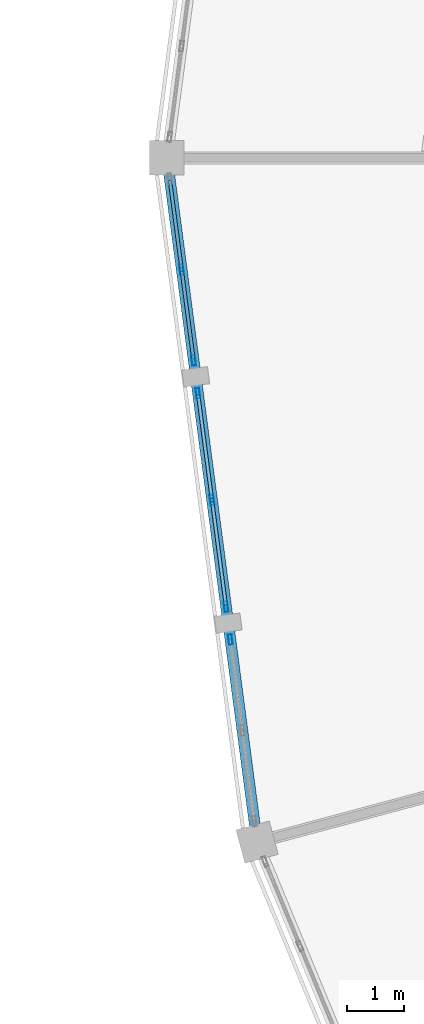
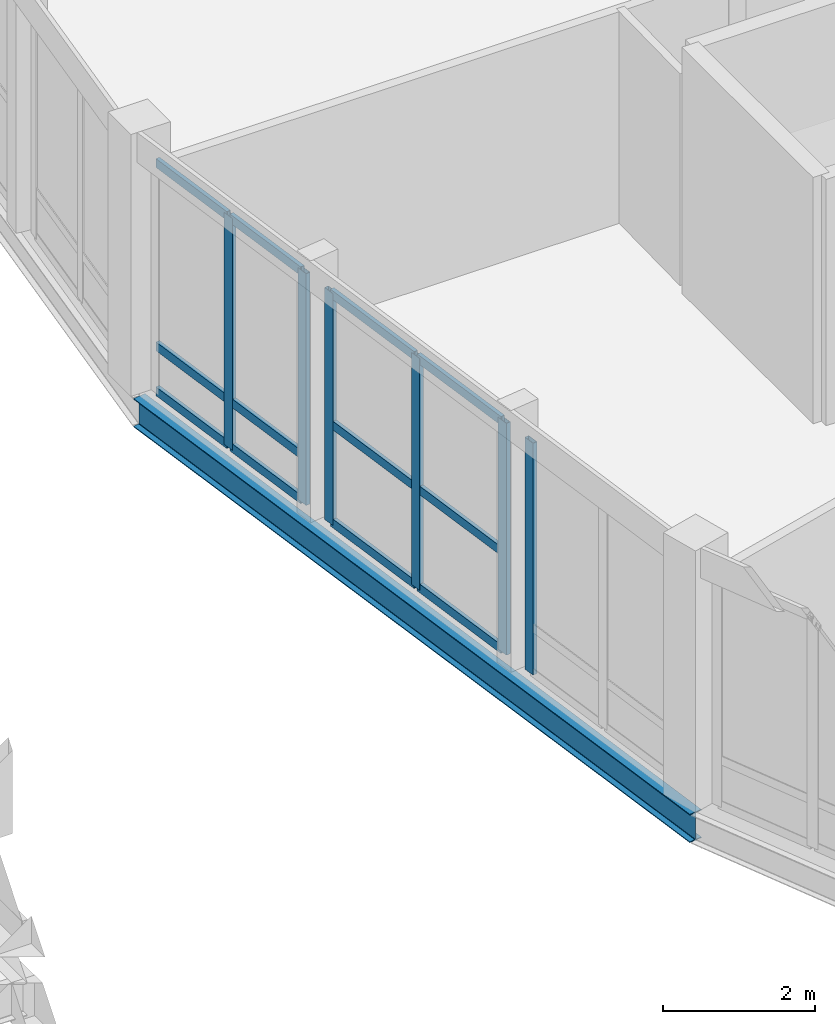
# One storey, part 59 of 185: 18 members, 1 beam, 3 elements without a shape of their own.
"""IFC4 building model written with IfcOpenShell, lengths in metres."""

import ifcopenshell
import ifcopenshell.guid

model = None  # the IFC model being written
_history = None  # IfcOwnerHistory: only IFC2X3 demands one
_inside = {}  # id of a spatial element -> (the spatial element, [elements in it])
_under = {}  # id of a project, library or spatial element -> (it, [spatial elements below it])
_declared = {}  # id of a project -> (the project, [libraries it declares])
_typed = {}  # id of a type object -> (the type object, [elements of that type])
_made_of = {}  # id of a material, layer set ... -> (it, [elements and type objects made of it])


def new_model(schema):
    """Start an empty IFC model of exactly this schema.

    Asked for "IFC4X3", IfcOpenShell would pick the latest addendum, in which some entities
    have other attributes; the version numbers below select the first issue.
    IFC2X3 requires an IfcOwnerHistory on every rooted entity: one is made here for all.
    """
    global model, _history
    if schema == "IFC4X3":
        model = ifcopenshell.file(schema_version=(4, 3, 0, 0))
    else:
        model = ifcopenshell.file(schema=schema)
    _inside.clear()
    _under.clear()
    _declared.clear()
    _typed.clear()
    _made_of.clear()
    _history = None
    if model.schema == "IFC2X3":
        org = make("IfcOrganization", Name="unknown")
        user = make(
            "IfcPersonAndOrganization",
            ThePerson=make("IfcPerson", FamilyName="unknown"),
            TheOrganization=org,
        )
        app = make(
            "IfcApplication",
            ApplicationDeveloper=org,
            Version="unknown",
            ApplicationFullName="unknown",
            ApplicationIdentifier="unknown",
        )
        _history = make(
            "IfcOwnerHistory",
            OwningUser=user,
            OwningApplication=app,
            ChangeAction="ADDED",
            CreationDate=0,
        )
    return model


def make(cls, **values):
    """One entity of the class cls with the attributes given. An attribute that is None is left unset."""
    return model.create_entity(
        cls, **{name: value for name, value in values.items() if value is not None}
    )


def rooted(cls, **values):
    """An entity with a GlobalId (a new one), such as an element, a storey or a relation."""
    return make(cls, GlobalId=ifcopenshell.guid.new(), OwnerHistory=_history, **values)


def si_unit(unit_type, name, prefix=None):
    """IfcSIUnit, for example si_unit("LENGTHUNIT", "METRE", prefix="MILLI")."""
    return make("IfcSIUnit", UnitType=unit_type, Prefix=prefix, Name=name)


def assignment(units):
    """IfcUnitAssignment: the units of a project."""
    return None if units is None else make("IfcUnitAssignment", Units=units)


def point(xyz):
    """IfcCartesianPoint."""
    return None if xyz is None else make("IfcCartesianPoint", Coordinates=xyz)


def direction(xyz):
    """IfcDirection."""
    return None if xyz is None else make("IfcDirection", DirectionRatios=xyz)


def frame(location, z_axis=None, x_axis=None):
    """IfcAxis2Placement3D, a coordinate frame: its origin and axes. An axis left out is left unset."""
    return make(
        "IfcAxis2Placement3D",
        Location=point(location),
        Axis=direction(z_axis),
        RefDirection=direction(x_axis),
    )


def frame_2d(location, x_axis=None):
    """IfcAxis2Placement2D, a coordinate frame in the plane: its origin and x axis."""
    return make(
        "IfcAxis2Placement2D", Location=point(location), RefDirection=direction(x_axis)
    )


def origin():
    """The frame at (0, 0, 0) with its axes left unset."""
    return frame((0.0, 0.0, 0.0))


def origin_2d():
    """The frame at (0, 0) in the plane with its x axis left unset."""
    return frame_2d((0.0, 0.0))


def place(relative_to, where):
    """IfcLocalPlacement: puts the frame where relative to a parent placement (None: the world)."""
    return make(
        "IfcLocalPlacement", PlacementRelTo=relative_to, RelativePlacement=where
    )


def context(
    kind, dimensions, precision=None, world=None, true_north=None, identifier=None
):
    """IfcGeometricRepresentationContext, for example the 3D "Model" context."""
    return make(
        "IfcGeometricRepresentationContext",
        ContextIdentifier=identifier,
        ContextType=kind,
        CoordinateSpaceDimension=dimensions,
        Precision=precision,
        WorldCoordinateSystem=world,
        TrueNorth=true_north,
    )


def subcontext(parent, identifier, kind, view, scale=None):
    """IfcGeometricRepresentationSubContext, for example "Body" below "Model"."""
    return make(
        "IfcGeometricRepresentationSubContext",
        ContextIdentifier=identifier,
        ContextType=kind,
        ParentContext=parent,
        TargetScale=scale,
        TargetView=view,
    )


def project(units=None, contexts=None):
    """IfcProject with its units and contexts."""
    return rooted(
        "IfcProject",
        Name="project",
        RepresentationContexts=contexts,
        UnitsInContext=assignment(units),
    )


def spatial(cls, under=None, at=None, **own):
    """A site, building, storey or space (cls), placed at a placement, below another one or the project."""
    s = rooted(cls, ObjectPlacement=at, **own)
    if under is not None:
        _under.setdefault(under.id(), (under, []))[1].append(s)
    return s


def profile(cls, at=None, kind="AREA", **sizes):
    """A parametric profile (cls). Its sizes go by their IFC names, for example OverallWidth=200.0."""
    return make(cls, ProfileType=kind, Position=at, **sizes)


def hollow_rectangle(**sizes):
    """IfcRectangleHollowProfileDef."""
    return profile("IfcRectangleHollowProfileDef", **sizes)


def i_section(**sizes):
    """IfcIShapeProfileDef."""
    return profile("IfcIShapeProfileDef", **sizes)


def extrude(swept, where, along, depth):
    """IfcExtrudedAreaSolid: the profile swept, set in the frame where, extruded along a direction by depth."""
    return make(
        "IfcExtrudedAreaSolid",
        SweptArea=swept,
        Position=where,
        ExtrudedDirection=direction(along),
        Depth=depth,
    )


def shape(context_of_items, identifier, shape_type, items):
    """IfcShapeRepresentation: the items that make up one representation, for example the "Body"."""
    return make(
        "IfcShapeRepresentation",
        ContextOfItems=context_of_items,
        RepresentationIdentifier=identifier,
        RepresentationType=shape_type,
        Items=items,
    )


def material(Name=None, Category=None):
    """IfcMaterial."""
    return make("IfcMaterial", Name=Name, Category=Category)


def material_profile(
    of_material, cross_section, Name=None, Category=None, Priority=None
):
    """IfcMaterialProfile: a cross section and its material."""
    return make(
        "IfcMaterialProfile",
        Name=Name,
        Material=of_material,
        Profile=cross_section,
        Priority=Priority,
        Category=Category,
    )


def profile_set(profiles, Name=None, composite=None):
    """IfcMaterialProfileSet."""
    return make(
        "IfcMaterialProfileSet",
        Name=Name,
        MaterialProfiles=profiles,
        CompositeProfile=composite,
    )


def made_of(thing, what):
    """Note that an element or type object is made of a material, layer set ...; save() writes the relation."""
    if what is not None:
        _made_of.setdefault(what.id(), (what, []))[1].append(thing)
    return thing


def type_object(cls, material=None, **own):
    """A type object (cls), such as IfcWallType, which elements share."""
    return made_of(rooted(cls, **own), material)


def element(
    cls,
    number,
    at=None,
    inside=None,
    cuts=None,
    type_object=None,
    material=None,
    context=None,
    identifier="Body",
    shape_type=None,
    held_by="IfcProductDefinitionShape",
    body=None,
    shapes=None,
    **own,
):
    """One element of the class cls, such as IfcWall. Its Tag is "e" and its number.

    at: its placement. inside: the storey or other place that contains it. cuts: it is an
    opening in that element (IfcRelVoidsElement). A single representation is given by context,
    identifier, shape_type and body (its items); several are given by shapes. held_by: the class
    of the entity that holds the representations. save() writes the other relations.
    """
    e = rooted(cls, Tag="e%d" % number, ObjectPlacement=at, **own)
    if body is not None:
        shapes = [shape(context, identifier, shape_type, body)]
    if shapes is not None:
        e.Representation = make(held_by, Representations=shapes)
    if inside is not None:
        _inside.setdefault(inside.id(), (inside, []))[1].append(e)
    if cuts is not None:
        rooted(
            "IfcRelVoidsElement", RelatingBuildingElement=cuts, RelatedOpeningElement=e
        )
    if type_object is not None:
        _typed.setdefault(type_object.id(), (type_object, []))[1].append(e)
    return made_of(e, material)


def aggregate(whole, parts):
    """IfcRelAggregates: a whole, such as a stair, and the parts it consists of."""
    return rooted("IfcRelAggregates", RelatingObject=whole, RelatedObjects=parts)


def save(model, path):
    """Write the relations noted so far, then the file.

    IfcRelAggregates (storeys below a building ...), IfcRelContainedInSpatialStructure (elements
    in a storey), IfcRelDefinesByType, IfcRelAssociatesMaterial and IfcRelDeclares: one each for
    every whole, place, type object, material and project.
    """
    for whole, parts in _under.values():
        aggregate(whole, parts)
    for where, things in _inside.values():
        rooted(
            "IfcRelContainedInSpatialStructure",
            RelatedElements=things,
            RelatingStructure=where,
        )
    for kind, things in _typed.values():
        rooted("IfcRelDefinesByType", RelatedObjects=things, RelatingType=kind)
    for what, things in _made_of.values():
        rooted("IfcRelAssociatesMaterial", RelatedObjects=things, RelatingMaterial=what)
    for by, libraries in _declared.values():
        rooted("IfcRelDeclares", RelatingContext=by, RelatedDefinitions=libraries)
    model.write(path)


model = new_model("IFC4")

# Units and contexts
model_context = context("Model", 3, precision=1e-05, world=origin(), true_north=direction((0.0, 1.0)))
body_context = subcontext(model_context, "Body", "Model", "MODEL_VIEW")
ifc_project = project(units=[si_unit("LENGTHUNIT", "METRE"), si_unit("AREAUNIT", "SQUARE_METRE"), si_unit("VOLUMEUNIT", "CUBIC_METRE"), si_unit("PLANEANGLEUNIT", "RADIAN"), si_unit("MASSUNIT", "GRAM", prefix="KILO")], contexts=[model_context])

# Site, building, storey
site_placement = place(None, origin())
site = spatial("IfcSite", under=ifc_project, at=site_placement, CompositionType="ELEMENT")
building_placement = place(site_placement, origin())
building = spatial("IfcBuilding", under=site, at=building_placement, Name="Vondelvale Polytechnic", CompositionType="ELEMENT")
storey_placement = place(building_placement, frame((0.0, 0.0, 9.60009765625)))
storey = spatial("IfcBuildingStorey", under=building, at=storey_placement, Name="L02", CompositionType="ELEMENT", Elevation=9.60009765625)

# Beam
ifc_material_1 = material(Name="Steel 300PLUS (fy = 300 MPa)", Category="steel")
ifc_material_profile_1 = material_profile(ifc_material_1, i_section(OverallWidth=0.18994140625, OverallDepth=0.45703125, WebThickness=0.009033203125, FlangeThickness=0.014404296875, FilletRadius=0.011474609375, at=origin_2d()), Name="460UB74.6")
ifc_profile_set_1 = profile_set([ifc_material_profile_1], Name="Steel 300PLUS (fy = 300 MPa)")
beam_type = type_object("IfcBeamType", Name="BM-UB460", PredefinedType="BEAM", material=ifc_profile_set_1)
beam_placement = place(storey_placement, frame((56.0, 72.0, -0.508544921875), z_axis=(0.130522880875, -0.991445297315, 0.0), x_axis=(0.991445297315, 0.130522880875, 0.0)))
element("IfcBeam", 1, at=beam_placement, inside=storey, type_object=beam_type, Name="L02 RB B-13", PredefinedType="BEAM", context=body_context, shape_type="SweptSolid", body=[
    extrude(i_section(OverallWidth=0.18994140625, OverallDepth=0.45703125, WebThickness=0.009033203125, FlangeThickness=0.014404296875, FilletRadius=0.011474609375, at=origin_2d()), origin(), (0.0, 0.0, 1.0), 12.008544921875),
])

# Curtain wall, members
ifc_material_2 = material(Name="Glulam GL18 structural Tasmanian oak (fb = 42 MPa)", Category="wood")
curtain_wall_type = type_object("IfcCurtainWallType", Name="CW-RING-OUTER", PredefinedType="NOTDEFINED", material=ifc_material_2)
curtain_wall_1_placement = place(storey_placement, origin())
curtain_wall_1 = element("IfcCurtainWall", 2, at=curtain_wall_1_placement, inside=storey, type_object=curtain_wall_type, Name="L02 architectural curtain wall CW-04-264", PredefinedType="NOTDEFINED")
ifc_material_3 = material(Name="Anodised extruded aluminium 6063-T6", Category="aluminium")
ifc_material_profile_2 = material_profile(ifc_material_3, hollow_rectangle(XDim=0.06494140625, YDim=0.179931640625, WallThickness=0.00390625, at=origin_2d()), Name="CW-MUL-180x65")
ifc_profile_set_2 = profile_set([ifc_material_profile_2], Name="Anodised extruded aluminium 6063-T6")
member_type_1 = type_object("IfcMemberType", Name="CW-MUL-65x180", PredefinedType="MULLION", material=ifc_profile_set_2)
member_1_placement = place(storey_placement, frame((56.255859375, 70.056640625, 0.0), z_axis=(0.0, 0.0, 1.0), x_axis=(0.991443102996, 0.130539547729, 0.0)))
member_1 = element("IfcMember", 3, at=member_1_placement, type_object=member_type_1, Name="CW-04-264 mullion 2", PredefinedType="MULLION", context=body_context, shape_type="SweptSolid", body=[
    extrude(hollow_rectangle(XDim=0.06494140625, YDim=0.179931640625, WallThickness=0.00390625, at=origin_2d()), origin(), (0.0, 0.0, 1.0), 3.719970703125),
])
member_2_placement = place(storey_placement, frame((56.464111328125, 68.475341796875, 0.0), z_axis=(0.0, 0.0, 1.0), x_axis=(0.991443102996, 0.130539547729, 0.0)))
member_2 = element("IfcMember", 4, at=member_2_placement, type_object=member_type_1, Name="CW-04-264 mullion 3", PredefinedType="MULLION", context=body_context, shape_type="SweptSolid", body=[
    extrude(hollow_rectangle(XDim=0.06494140625, YDim=0.179931640625, WallThickness=0.00390625, at=origin_2d()), origin(), (0.0, 0.0, 1.0), 3.719970703125),
])

curtain_wall_2_placement = place(storey_placement, origin())
curtain_wall_2 = element("IfcCurtainWall", 5, at=curtain_wall_2_placement, inside=storey, type_object=curtain_wall_type, Name="L02 architectural curtain wall CW-04-265", PredefinedType="NOTDEFINED")
member_3_placement = place(storey_placement, frame((56.5390625, 67.9052734375, 0.0), z_axis=(0.0, 0.0, 1.0), x_axis=(0.991448671082, 0.130497251349, 0.0)))
member_3 = element("IfcMember", 6, at=member_3_placement, type_object=member_type_1, Name="CW-04-265 mullion 1", PredefinedType="MULLION", context=body_context, shape_type="SweptSolid", body=[
    extrude(hollow_rectangle(XDim=0.06494140625, YDim=0.179931640625, WallThickness=0.00390625, at=origin_2d()), origin(), (0.0, 0.0, 1.0), 3.719970703125),
])
member_4_placement = place(storey_placement, frame((56.78369140625, 66.047119140625, 0.0), z_axis=(0.0, 0.0, 1.0), x_axis=(0.991448671082, 0.130497251349, 0.0)))
member_4 = element("IfcMember", 7, at=member_4_placement, type_object=member_type_1, Name="CW-04-265 mullion 2", PredefinedType="MULLION", context=body_context, shape_type="SweptSolid", body=[
    extrude(hollow_rectangle(XDim=0.06494140625, YDim=0.179931640625, WallThickness=0.00390625, at=origin_2d()), origin(), (0.0, 0.0, 1.0), 3.719970703125),
])
member_5_placement = place(storey_placement, frame((57.0283203125, 64.189208984375, 0.0), z_axis=(0.0, 0.0, 1.0), x_axis=(0.991448671082, 0.130497251349, 0.0)))
member_5 = element("IfcMember", 8, at=member_5_placement, type_object=member_type_1, Name="CW-04-265 mullion 3", PredefinedType="MULLION", context=body_context, shape_type="SweptSolid", body=[
    extrude(hollow_rectangle(XDim=0.06494140625, YDim=0.179931640625, WallThickness=0.00390625, at=origin_2d()), origin(), (0.0, 0.0, 1.0), 3.719970703125),
])

# Curtain wall, member
curtain_wall_3_placement = place(storey_placement, origin())
curtain_wall_3 = element("IfcCurtainWall", 9, at=curtain_wall_3_placement, inside=storey, type_object=curtain_wall_type, Name="L02 architectural curtain wall CW-04-266", PredefinedType="NOTDEFINED")
member_6_placement = place(storey_placement, frame((57.103271484375, 63.619140625, 0.0), z_axis=(0.0, 0.0, 1.0), x_axis=(0.991443102996, 0.130539547729, 0.0)))
member_6 = element("IfcMember", 10, at=member_6_placement, type_object=member_type_1, Name="CW-04-266 mullion 1", PredefinedType="MULLION", context=body_context, shape_type="SweptSolid", body=[
    extrude(hollow_rectangle(XDim=0.06494140625, YDim=0.179931640625, WallThickness=0.00390625, at=origin_2d()), origin(), (0.0, 0.0, 1.0), 3.719970703125),
])
aggregate(curtain_wall_3, [member_6])

# Member
ifc_material_profile_3 = material_profile(ifc_material_3, hollow_rectangle(XDim=0.06005859375, YDim=0.139892578125, WallThickness=0.00341796875, at=origin_2d()), Name="CW-TRN-140x60")
ifc_profile_set_3 = profile_set([ifc_material_profile_3], Name="Anodised extruded aluminium 6063-T6")
member_type_2 = type_object("IfcMemberType", Name="CW-TRN-60x140", PredefinedType="USERDEFINED", material=ifc_profile_set_3)
member_7_placement = place(storey_placement, frame((56.052001953125, 71.605712890625, 0.02978515625), z_axis=(0.130532942165, -0.991443972703, 0.0), x_axis=(0.991443972703, 0.130532942165, 0.0)))
member_7 = element("IfcMember", 11, at=member_7_placement, type_object=member_type_2, Name="CW-04-264 transom 1.1", ObjectType="TRANSOM", PredefinedType="USERDEFINED", context=body_context, shape_type="SweptSolid", body=[
    extrude(hollow_rectangle(XDim=0.06005859375, YDim=0.139892578125, WallThickness=0.00341796875, at=origin_2d()), origin(), (0.0, 0.0, 1.0), 1.530029296875),
])

member_8_placement = place(storey_placement, frame((56.052001953125, 71.605712890625, 0.75), z_axis=(0.130532942165, -0.991443972703, 0.0), x_axis=(0.991443972703, 0.130532942165, 0.0)))
member_8 = element("IfcMember", 12, at=member_8_placement, type_object=member_type_2, Name="CW-04-264 transom 1.2", ObjectType="TRANSOM", PredefinedType="USERDEFINED", context=body_context, shape_type="SweptSolid", body=[
    extrude(hollow_rectangle(XDim=0.06005859375, YDim=0.139892578125, WallThickness=0.00341796875, at=origin_2d()), origin(), (0.0, 0.0, 1.0), 1.530029296875),
])

member_9_placement = place(storey_placement, frame((56.052001953125, 71.605712890625, 3.68994140625), z_axis=(0.130532942165, -0.991443972703, 0.0), x_axis=(0.991443972703, 0.130532942165, 0.0)))
member_9 = element("IfcMember", 13, at=member_9_placement, type_object=member_type_2, Name="CW-04-264 transom 1.3", ObjectType="TRANSOM", PredefinedType="USERDEFINED", context=body_context, shape_type="SweptSolid", body=[
    extrude(hollow_rectangle(XDim=0.06005859375, YDim=0.139892578125, WallThickness=0.00341796875, at=origin_2d()), origin(), (0.0, 0.0, 1.0), 1.530029296875),
])

member_10_placement = place(storey_placement, frame((56.260009765625, 70.0244140625, 0.02978515625), z_axis=(0.130512293736, -0.991446691045, 0.0), x_axis=(0.991446691045, 0.130512293736, 0.0)))
member_10 = element("IfcMember", 14, at=member_10_placement, type_object=member_type_2, Name="CW-04-264 transom 2.1", ObjectType="TRANSOM", PredefinedType="USERDEFINED", context=body_context, shape_type="SweptSolid", body=[
    extrude(hollow_rectangle(XDim=0.06005859375, YDim=0.139892578125, WallThickness=0.00341796875, at=origin_2d()), origin(), (0.0, 0.0, 1.0), 1.5302734375),
])

member_11_placement = place(storey_placement, frame((56.260009765625, 70.0244140625, 0.75), z_axis=(0.130512293736, -0.991446691045, 0.0), x_axis=(0.991446691045, 0.130512293736, 0.0)))
member_11 = element("IfcMember", 15, at=member_11_placement, type_object=member_type_2, Name="CW-04-264 transom 2.2", ObjectType="TRANSOM", PredefinedType="USERDEFINED", context=body_context, shape_type="SweptSolid", body=[
    extrude(hollow_rectangle(XDim=0.06005859375, YDim=0.139892578125, WallThickness=0.00341796875, at=origin_2d()), origin(), (0.0, 0.0, 1.0), 1.5302734375),
])

member_12_placement = place(storey_placement, frame((56.260009765625, 70.0244140625, 3.68994140625), z_axis=(0.130512293736, -0.991446691045, 0.0), x_axis=(0.991446691045, 0.130512293736, 0.0)))
member_12 = element("IfcMember", 16, at=member_12_placement, type_object=member_type_2, Name="CW-04-264 transom 2.3", ObjectType="TRANSOM", PredefinedType="USERDEFINED", context=body_context, shape_type="SweptSolid", body=[
    extrude(hollow_rectangle(XDim=0.06005859375, YDim=0.139892578125, WallThickness=0.00341796875, at=origin_2d()), origin(), (0.0, 0.0, 1.0), 1.5302734375),
])

aggregate(curtain_wall_1, [member_1, member_2, member_7, member_8, member_9, member_10, member_11, member_12])

member_13_placement = place(storey_placement, frame((56.54345703125, 67.873046875, 0.02978515625), z_axis=(0.130492911033, -0.991449242357, 0.0), x_axis=(0.991449242357, 0.130492911033, 0.0)))
member_13 = element("IfcMember", 17, at=member_13_placement, type_object=member_type_2, Name="CW-04-265 transom 1.1", ObjectType="TRANSOM", PredefinedType="USERDEFINED", context=body_context, shape_type="SweptSolid", body=[
    extrude(hollow_rectangle(XDim=0.06005859375, YDim=0.139892578125, WallThickness=0.00341796875, at=origin_2d()), origin(), (0.0, 0.0, 1.0), 1.80908203125),
])

member_14_placement = place(storey_placement, frame((56.54345703125, 67.873046875, 1.599853515625), z_axis=(0.130492911033, -0.991449242357, 0.0), x_axis=(0.991449242357, 0.130492911033, 0.0)))
member_14 = element("IfcMember", 18, at=member_14_placement, type_object=member_type_2, Name="CW-04-265 transom 1.2", ObjectType="TRANSOM", PredefinedType="USERDEFINED", context=body_context, shape_type="SweptSolid", body=[
    extrude(hollow_rectangle(XDim=0.06005859375, YDim=0.139892578125, WallThickness=0.00341796875, at=origin_2d()), origin(), (0.0, 0.0, 1.0), 1.80908203125),
])

member_15_placement = place(storey_placement, frame((56.54345703125, 67.873046875, 3.68994140625), z_axis=(0.130492911033, -0.991449242357, 0.0), x_axis=(0.991449242357, 0.130492911033, 0.0)))
member_15 = element("IfcMember", 19, at=member_15_placement, type_object=member_type_2, Name="CW-04-265 transom 1.3", ObjectType="TRANSOM", PredefinedType="USERDEFINED", context=body_context, shape_type="SweptSolid", body=[
    extrude(hollow_rectangle(XDim=0.06005859375, YDim=0.139892578125, WallThickness=0.00341796875, at=origin_2d()), origin(), (0.0, 0.0, 1.0), 1.80908203125),
])

member_16_placement = place(storey_placement, frame((56.787841796875, 66.014892578125, 0.02978515625), z_axis=(0.130510372288, -0.991446943979, 0.0), x_axis=(0.991446943979, 0.130510372288, 0.0)))
member_16 = element("IfcMember", 20, at=member_16_placement, type_object=member_type_2, Name="CW-04-265 transom 2.1", ObjectType="TRANSOM", PredefinedType="USERDEFINED", context=body_context, shape_type="SweptSolid", body=[
    extrude(hollow_rectangle(XDim=0.06005859375, YDim=0.139892578125, WallThickness=0.00341796875, at=origin_2d()), origin(), (0.0, 0.0, 1.0), 1.808837890625),
])

member_17_placement = place(storey_placement, frame((56.787841796875, 66.014892578125, 1.599853515625), z_axis=(0.130510372288, -0.991446943979, 0.0), x_axis=(0.991446943979, 0.130510372288, 0.0)))
member_17 = element("IfcMember", 21, at=member_17_placement, type_object=member_type_2, Name="CW-04-265 transom 2.2", ObjectType="TRANSOM", PredefinedType="USERDEFINED", context=body_context, shape_type="SweptSolid", body=[
    extrude(hollow_rectangle(XDim=0.06005859375, YDim=0.139892578125, WallThickness=0.00341796875, at=origin_2d()), origin(), (0.0, 0.0, 1.0), 1.808837890625),
])

member_18_placement = place(storey_placement, frame((56.787841796875, 66.014892578125, 3.68994140625), z_axis=(0.130510372288, -0.991446943979, 0.0), x_axis=(0.991446943979, 0.130510372288, 0.0)))
member_18 = element("IfcMember", 22, at=member_18_placement, type_object=member_type_2, Name="CW-04-265 transom 2.3", ObjectType="TRANSOM", PredefinedType="USERDEFINED", context=body_context, shape_type="SweptSolid", body=[
    extrude(hollow_rectangle(XDim=0.06005859375, YDim=0.139892578125, WallThickness=0.00341796875, at=origin_2d()), origin(), (0.0, 0.0, 1.0), 1.808837890625),
])

aggregate(curtain_wall_2, [member_3, member_4, member_5, member_13, member_14, member_15, member_16, member_17, member_18])

save(model, "model.ifc")
